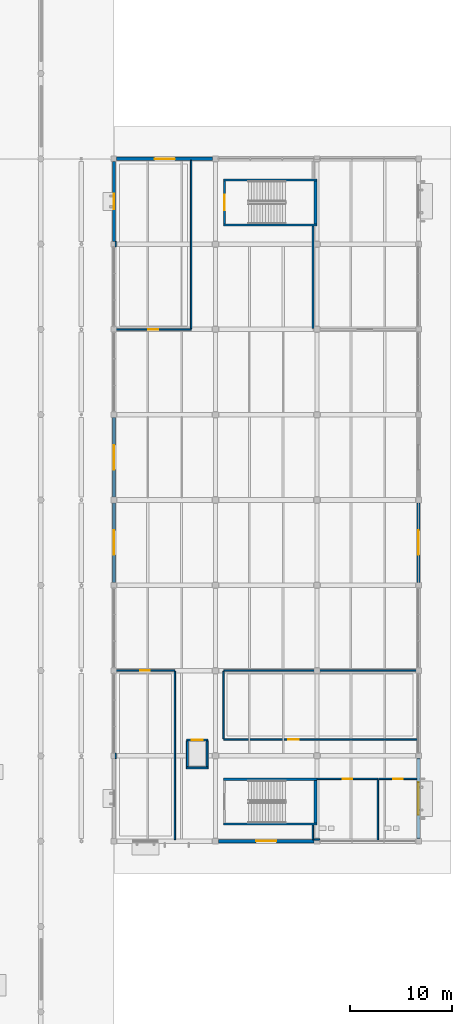
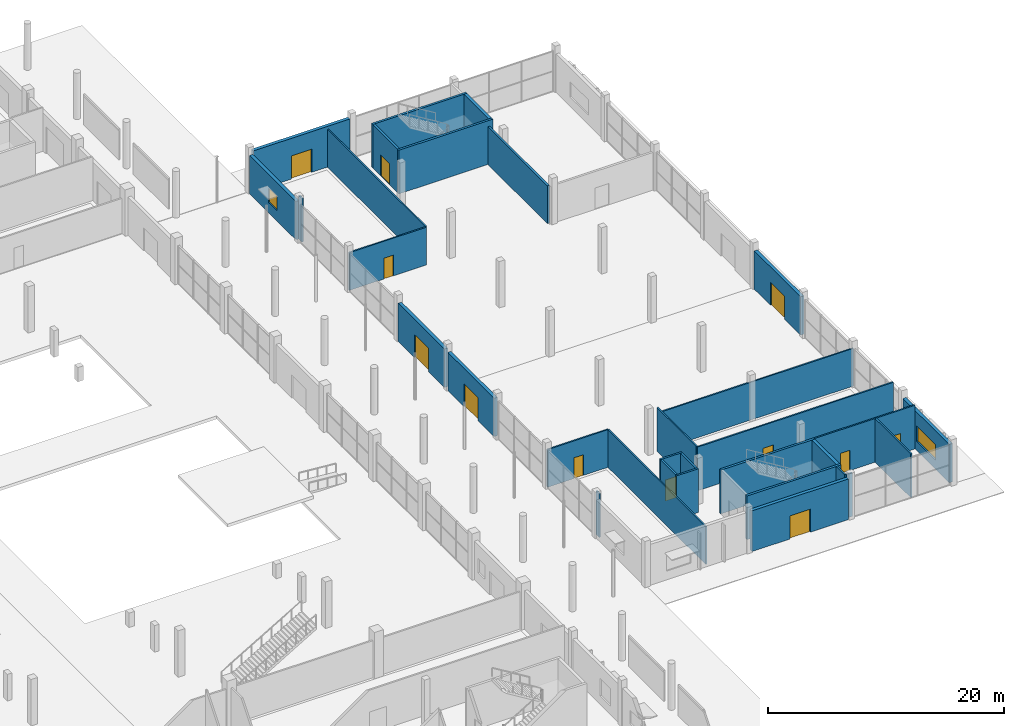
# One storey, part 97 of 130: 33 walls, 12 doors, 2 windows, 14 openings.
"""IFC4 building model written with IfcOpenShell, lengths in metres."""

from ifc_helpers import new_model, si_unit, direction, frame, frame_2d, origin, place, context, subcontext, project, spatial, rectangle, extrude, material, layer, layer_set, type_object, element, fill, save


model = new_model("IFC4")

# Units and contexts
model_context = context("Model", 3, precision=1e-05, world=origin(), true_north=direction((0.0, 1.0)))
body_context = subcontext(model_context, "Body", "Model", "MODEL_VIEW")
ifc_project = project(units=[si_unit("LENGTHUNIT", "METRE"), si_unit("AREAUNIT", "SQUARE_METRE"), si_unit("VOLUMEUNIT", "CUBIC_METRE"), si_unit("PLANEANGLEUNIT", "RADIAN"), si_unit("MASSUNIT", "GRAM", prefix="KILO"), si_unit("THERMODYNAMICTEMPERATUREUNIT", "KELVIN")], contexts=[model_context])

# Site, building, storey
site_placement = place(None, origin())
site = spatial("IfcSite", under=ifc_project, at=site_placement, CompositionType="ELEMENT")
building_placement = place(site_placement, origin())
building = spatial("IfcBuilding", under=site, at=building_placement, Name="Nduvali Passage Aquatics Centre", CompositionType="ELEMENT")
storey_placement = place(building_placement, origin())
storey = spatial("IfcBuildingStorey", under=building, at=storey_placement, Name="L00", CompositionType="ELEMENT", Elevation=0.0)

# Wall, opening, door
ifc_material_1 = material(Name="Coral-stone masonry blockwork", Category="masonry")
ifc_layer_1 = layer(ifc_material_1, 0.320068359375, Name="Coral-stone masonry blockwork")
ifc_layer_set_1 = layer_set([ifc_layer_1], Name="Coral-stone masonry blockwork")
wall_type_1 = type_object("IfcWallType", Name="ENV-WAL-CORAL320", PredefinedType="STANDARD", material=ifc_layer_set_1)
wall_1_placement = place(storey_placement, frame((147.72509765625, 92.39990234375, 0.0), z_axis=(0.0, 0.0, 1.0), x_axis=(-1.0, 0.0, 0.0)))
wall_1 = element("IfcWall", 1, at=wall_1_placement, inside=storey, type_object=wall_type_1, Name="L00 East Pavilion North Facade 0089", PredefinedType="STANDARD", context=body_context, shape_type="SweptSolid", body=[
    extrude(rectangle(XDim=9.4501953125, YDim=0.320068359375, at=frame_2d((4.72509765625, 0.0))), origin(), (0.0, 0.0, 1.0), 4.216064453125),
])
opening_1_placement = place(wall_1_placement, frame((3.72509765625, 0.0, 0.0)))
opening_1 = element("IfcOpeningElement", 2, at=opening_1_placement, cuts=wall_1, Name="Opening ED2", PredefinedType="OPENING", context=body_context, shape_type="SweptSolid", body=[
    extrude(rectangle(XDim=2.0, YDim=2.39990234375, at=frame_2d((1.0, 1.199951171875))), frame((0.0, 0.1748046875, 0.0), z_axis=(0.0, -1.0, 0.0), x_axis=(1.0, 0.0, 0.0)), (0.0, 0.0, 1.0), 0.349853515625),
])
ifc_material_2 = material(Name="Aluminium-framed glazed door", Category="aluminium")
door_type_1 = type_object("IfcDoorType", Name="ENV-DR-EX200", OperationType="DOUBLE_DOOR_SINGLE_SWING", PredefinedType="DOOR", material=ifc_material_2)
door_1_placement = place(opening_1_placement, frame((2.0, 0.0, 0.0), z_axis=(0.0, 0.0, 1.0), x_axis=(-1.0, 0.0, 0.0)))
door_1 = element("IfcDoor", 3, at=door_1_placement, inside=storey, type_object=door_type_1, Name="L00 Exterior Exit Door ED2-025", OperationType="DOUBLE_DOOR_SINGLE_SWING", OverallHeight=2.39990234375, OverallWidth=2.0, PredefinedType="DOOR", context=body_context, shape_type="SweptSolid", body=[
    extrude(rectangle(XDim=2.0, YDim=2.39990234375, at=frame_2d((1.0, 1.199951171875))), frame((0.0, 0.02490234375, 0.0), z_axis=(0.0, -1.0, 0.0), x_axis=(1.0, 0.0, 0.0)), (0.0, 0.0, 1.0), 0.050048828125),
])
fill(opening_1, door_1)

wall_2_placement = place(storey_placement, frame((148.27490234375, 25.199951171875, 0.0), z_axis=(0.0, 0.0, 1.0), x_axis=(1.0, 0.0, 0.0)))
wall_2 = element("IfcWall", 4, at=wall_2_placement, inside=storey, type_object=wall_type_1, Name="L00 East Pavilion South Facade 0090", PredefinedType="STANDARD", context=body_context, shape_type="SweptSolid", body=[
    extrude(rectangle(XDim=9.4501953125, YDim=0.320068359375, at=frame_2d((4.72509765625, 0.0))), origin(), (0.0, 0.0, 1.0), 4.216064453125),
])
opening_2_placement = place(wall_2_placement, frame((3.72509765625, 0.0, 0.0)))
opening_2 = element("IfcOpeningElement", 5, at=opening_2_placement, cuts=wall_2, Name="Opening ED2", PredefinedType="OPENING", context=body_context, shape_type="SweptSolid", body=[
    extrude(rectangle(XDim=2.0, YDim=2.39990234375, at=frame_2d((1.0, 1.199951171875))), frame((0.0, 0.1748046875, 0.0), z_axis=(0.0, -1.0, 0.0), x_axis=(1.0, 0.0, 0.0)), (0.0, 0.0, 1.0), 0.349853515625),
])
door_2_placement = place(opening_2_placement, frame((2.0, 0.0, 0.0), z_axis=(0.0, 0.0, 1.0), x_axis=(-1.0, 0.0, 0.0)))
door_2 = element("IfcDoor", 6, at=door_2_placement, inside=storey, type_object=door_type_1, Name="L00 Exterior Exit Door ED2-026", OperationType="DOUBLE_DOOR_SINGLE_SWING", OverallHeight=2.39990234375, OverallWidth=2.0, PredefinedType="DOOR", context=body_context, shape_type="SweptSolid", body=[
    extrude(rectangle(XDim=2.0, YDim=2.39990234375, at=frame_2d((1.0, 1.199951171875))), frame((0.0, 0.02490234375, 0.0), z_axis=(0.0, -1.0, 0.0), x_axis=(1.0, 0.0, 0.0)), (0.0, 0.0, 1.0), 0.050048828125),
])
fill(opening_2, door_2)

# Wall, opening, window
wall_3_placement = place(storey_placement, frame((168.0, 25.47509765625, 0.0), z_axis=(0.0, 0.0, 1.0), x_axis=(0.0, 1.0, 0.0)))
wall_3 = element("IfcWall", 7, at=wall_3_placement, inside=storey, type_object=wall_type_1, Name="L00 East Pavilion Avenue Entrance 0092", PredefinedType="STANDARD", context=body_context, shape_type="SweptSolid", body=[
    extrude(rectangle(XDim=7.849853515625, YDim=0.320068359375, at=frame_2d((3.9248046875, 0.0))), origin(), (0.0, 0.0, 1.0), 3.976318359375),
])
opening_3_placement = place(wall_3_placement, frame((2.324951171875, 0.0, 0.949951171875)))
opening_3 = element("IfcOpeningElement", 8, at=opening_3_placement, cuts=wall_3, Name="Opening W10", PredefinedType="OPENING", context=body_context, shape_type="SweptSolid", body=[
    extrude(rectangle(XDim=3.199951171875, YDim=1.60009765625, at=frame_2d((1.60009765625, 0.800048828125))), frame((0.0, 0.1748046875, 0.0), z_axis=(0.0, -1.0, 0.0), x_axis=(1.0, 0.0, 0.0)), (0.0, 0.0, 1.0), 0.349853515625),
])
ifc_material_3 = material(Name="Aluminium-framed solar-control low-E IGU", Category="aluminium")
window_type_1 = type_object("IfcWindowType", Name="ENV-WIN-W10", PartitioningType="SINGLE_PANEL", PredefinedType="WINDOW", material=ifc_material_3)
window_1_placement = place(opening_3_placement, origin())
window_1 = element("IfcWindow", 9, at=window_1_placement, inside=storey, type_object=window_type_1, Name="L00 Exterior Window W10-0086", OverallHeight=1.60009765625, OverallWidth=3.199951171875, PartitioningType="SINGLE_PANEL", PredefinedType="WINDOW", context=body_context, shape_type="SweptSolid", body=[
    extrude(rectangle(XDim=3.199951171875, YDim=1.60009765625, at=frame_2d((1.60009765625, 0.800048828125))), frame((0.0, 0.030029296875, 0.0), z_axis=(0.0, -1.0, 0.0), x_axis=(1.0, 0.0, 0.0)), (0.0, 0.0, 1.0), 0.06005859375),
])
fill(opening_3, window_1)

# Wall, opening, door
wall_4_placement = place(storey_placement, frame((138.0, 58.52490234375, 0.0), z_axis=(0.0, 0.0, 1.0), x_axis=(0.0, -1.0, 0.0)))
wall_4 = element("IfcWall", 10, at=wall_4_placement, inside=storey, type_object=wall_type_1, Name="L00 East Pavilion Passage Facade 0093", PredefinedType="STANDARD", context=body_context, shape_type="SweptSolid", body=[
    extrude(rectangle(XDim=7.849853515625, YDim=0.320068359375, at=frame_2d((3.9248046875, 0.0))), origin(), (0.0, 0.0, 1.0), 3.976318359375),
])
opening_4_placement = place(wall_4_placement, frame((2.72509765625, 0.0, 0.0)))
opening_4 = element("IfcOpeningElement", 11, at=opening_4_placement, cuts=wall_4, Name="Opening ED1", PredefinedType="OPENING", context=body_context, shape_type="SweptSolid", body=[
    extrude(rectangle(XDim=2.39990234375, YDim=2.39990234375, at=frame_2d((1.199951171875, 1.199951171875))), frame((0.0, 0.1748046875, 0.0), z_axis=(0.0, -1.0, 0.0), x_axis=(1.0, 0.0, 0.0)), (0.0, 0.0, 1.0), 0.349853515625),
])
door_type_2 = type_object("IfcDoorType", Name="ENV-DR-EX240", OperationType="DOUBLE_DOOR_SINGLE_SWING", PredefinedType="DOOR", material=ifc_material_2)
door_3_placement = place(opening_4_placement, frame((2.39990234375, 0.0, 0.0), z_axis=(0.0, 0.0, 1.0), x_axis=(-1.0, 0.0, 0.0)))
door_3 = element("IfcDoor", 12, at=door_3_placement, inside=storey, type_object=door_type_2, Name="L00 Exterior Exit Door ED1-027", OperationType="DOUBLE_DOOR_SINGLE_SWING", OverallHeight=2.39990234375, OverallWidth=2.39990234375, PredefinedType="DOOR", context=body_context, shape_type="SweptSolid", body=[
    extrude(rectangle(XDim=2.39990234375, YDim=2.39990234375, at=frame_2d((1.199951171875, 1.199951171875))), frame((0.0, 0.02490234375, 0.0), z_axis=(0.0, -1.0, 0.0), x_axis=(1.0, 0.0, 0.0)), (0.0, 0.0, 1.0), 0.050048828125),
])
fill(opening_4, door_3)

wall_5_placement = place(storey_placement, frame((168.0, 50.675048828125, 0.0), z_axis=(0.0, 0.0, 1.0), x_axis=(0.0, 1.0, 0.0)))
wall_5 = element("IfcWall", 13, at=wall_5_placement, inside=storey, type_object=wall_type_1, Name="L00 East Pavilion Avenue Entrance 0094", PredefinedType="STANDARD", context=body_context, shape_type="SweptSolid", body=[
    extrude(rectangle(XDim=7.849853515625, YDim=0.320068359375, at=frame_2d((3.9248046875, 0.0))), origin(), (0.0, 0.0, 1.0), 3.976318359375),
])
opening_5_placement = place(wall_5_placement, frame((2.72509765625, 0.0, 0.0)))
opening_5 = element("IfcOpeningElement", 14, at=opening_5_placement, cuts=wall_5, Name="Opening ED1", PredefinedType="OPENING", context=body_context, shape_type="SweptSolid", body=[
    extrude(rectangle(XDim=2.39990234375, YDim=2.39990234375, at=frame_2d((1.199951171875, 1.199951171875))), frame((0.0, 0.1748046875, 0.0), z_axis=(0.0, -1.0, 0.0), x_axis=(1.0, 0.0, 0.0)), (0.0, 0.0, 1.0), 0.349853515625),
])
door_4_placement = place(opening_5_placement, frame((2.39990234375, 0.0, 0.0), z_axis=(0.0, 0.0, 1.0), x_axis=(-1.0, 0.0, 0.0)))
door_4 = element("IfcDoor", 15, at=door_4_placement, inside=storey, type_object=door_type_2, Name="L00 Exterior Exit Door ED1-028", OperationType="DOUBLE_DOOR_SINGLE_SWING", OverallHeight=2.39990234375, OverallWidth=2.39990234375, PredefinedType="DOOR", context=body_context, shape_type="SweptSolid", body=[
    extrude(rectangle(XDim=2.39990234375, YDim=2.39990234375, at=frame_2d((1.199951171875, 1.199951171875))), frame((0.0, 0.02490234375, 0.0), z_axis=(0.0, -1.0, 0.0), x_axis=(1.0, 0.0, 0.0)), (0.0, 0.0, 1.0), 0.050048828125),
])
fill(opening_5, door_4)

wall_6_placement = place(storey_placement, frame((138.0, 66.925048828125, 0.0), z_axis=(0.0, 0.0, 1.0), x_axis=(0.0, -1.0, 0.0)))
wall_6 = element("IfcWall", 16, at=wall_6_placement, inside=storey, type_object=wall_type_1, Name="L00 East Pavilion Passage Facade 0095", PredefinedType="STANDARD", context=body_context, shape_type="SweptSolid", body=[
    extrude(rectangle(XDim=7.85009765625, YDim=0.320068359375, at=frame_2d((3.925048828125, 0.0))), origin(), (0.0, 0.0, 1.0), 3.976318359375),
])
opening_6_placement = place(wall_6_placement, frame((2.72509765625, 0.0, 0.0)))
opening_6 = element("IfcOpeningElement", 17, at=opening_6_placement, cuts=wall_6, Name="Opening ED1", PredefinedType="OPENING", context=body_context, shape_type="SweptSolid", body=[
    extrude(rectangle(XDim=2.39990234375, YDim=2.39990234375, at=frame_2d((1.199951171875, 1.199951171875))), frame((0.0, 0.1748046875, 0.0), z_axis=(0.0, -1.0, 0.0), x_axis=(1.0, 0.0, 0.0)), (0.0, 0.0, 1.0), 0.349853515625),
])
door_5_placement = place(opening_6_placement, frame((2.39990234375, 0.0, 0.0), z_axis=(0.0, 0.0, 1.0), x_axis=(-1.0, 0.0, 0.0)))
door_5 = element("IfcDoor", 18, at=door_5_placement, inside=storey, type_object=door_type_2, Name="L00 Exterior Exit Door ED1-029", OperationType="DOUBLE_DOOR_SINGLE_SWING", OverallHeight=2.39990234375, OverallWidth=2.39990234375, PredefinedType="DOOR", context=body_context, shape_type="SweptSolid", body=[
    extrude(rectangle(XDim=2.39990234375, YDim=2.39990234375, at=frame_2d((1.199951171875, 1.199951171875))), frame((0.0, 0.02490234375, 0.0), z_axis=(0.0, -1.0, 0.0), x_axis=(1.0, 0.0, 0.0)), (0.0, 0.0, 1.0), 0.050048828125),
])
fill(opening_6, door_5)

# Wall, opening, window
wall_7_placement = place(storey_placement, frame((138.0, 92.125, 0.0), z_axis=(0.0, 0.0, 1.0), x_axis=(0.0, -1.0, 0.0)))
wall_7 = element("IfcWall", 19, at=wall_7_placement, inside=storey, type_object=wall_type_1, Name="L00 East Pavilion Passage Facade 0097", PredefinedType="STANDARD", context=body_context, shape_type="SweptSolid", body=[
    extrude(rectangle(XDim=7.85009765625, YDim=0.320068359375, at=frame_2d((3.925048828125, 0.0))), origin(), (0.0, 0.0, 1.0), 3.976318359375),
])
opening_7_placement = place(wall_7_placement, frame((3.175048828125, 0.0, 1.050048828125)))
opening_7 = element("IfcOpeningElement", 20, at=opening_7_placement, cuts=wall_7, Name="Opening W3", PredefinedType="OPENING", context=body_context, shape_type="SweptSolid", body=[
    extrude(rectangle(XDim=1.5, YDim=1.5, at=frame_2d((0.75, 0.75))), frame((0.0, 0.1748046875, 0.0), z_axis=(0.0, -1.0, 0.0), x_axis=(1.0, 0.0, 0.0)), (0.0, 0.0, 1.0), 0.349853515625),
])
window_type_2 = type_object("IfcWindowType", Name="ENV-WIN-W3", PartitioningType="SINGLE_PANEL", PredefinedType="WINDOW", material=ifc_material_3)
window_2_placement = place(opening_7_placement, origin())
window_2 = element("IfcWindow", 21, at=window_2_placement, inside=storey, type_object=window_type_2, Name="L00 Exterior Window W3-0087", OverallHeight=1.5, OverallWidth=1.5, PartitioningType="SINGLE_PANEL", PredefinedType="WINDOW", context=body_context, shape_type="SweptSolid", body=[
    extrude(rectangle(XDim=1.5, YDim=1.5, at=frame_2d((0.75, 0.75))), frame((0.0, 0.030029296875, 0.0), z_axis=(0.0, -1.0, 0.0), x_axis=(1.0, 0.0, 0.0)), (0.0, 0.0, 1.0), 0.06005859375),
])
fill(opening_7, window_2)

# Walls
ifc_layer_2 = layer(ifc_material_1, 0.199951171875, Name="Coral-stone masonry blockwork")
ifc_layer_set_2 = layer_set([ifc_layer_2], Name="Coral-stone masonry blockwork")
wall_type_2 = type_object("IfcWallType", Name="INT-WAL-COMP200", PredefinedType="PARTITIONING", material=ifc_layer_set_2)
wall_8_placement = place(storey_placement, frame((157.60009765625, 75.699951171875, 0.0), z_axis=(0.0, 0.0, 1.0), x_axis=(0.0, 1.0, 0.0)))
element("IfcWall", 22, at=wall_8_placement, inside=storey, type_object=wall_type_2, Name="L00 Cafe Servery Kitchen and Cold Store Partition 0109", PredefinedType="PARTITIONING", context=body_context, shape_type="SweptSolid", body=[
    extrude(rectangle(XDim=10.080078125, YDim=0.199951171875, at=frame_2d((5.0400390625, 0.0))), origin(), (0.0, 0.0, 1.0), 3.903564453125),
])
ifc_material_4 = material(Name="Concrete C40/50", Category="concrete")
ifc_layer_3 = layer(ifc_material_4, 0.219970703125, Name="Concrete C40/50")
ifc_layer_set_3 = layer_set([ifc_layer_3], Name="Concrete C40/50")
wall_type_3 = type_object("IfcWallType", Name="INT-WAL-CORE220", PredefinedType="SOLIDWALL", material=ifc_layer_set_3)
for number, where, z_axis, x_axis, name in (
    (23, (148.780029296875, 26.889892578125, 0.0), (0.0, 0.0, 1.0), (1.0, 0.0, 0.0), "L00 Stair ST7 Core Wall S"),
    (24, (158.0, 31.300048828125, 0.0), (0.0, 0.0, 1.0), (-1.0, 0.0, 0.0), "L00 Stair ST7 Core Wall N"),
    (25, (148.780029296875, 85.889892578125, 0.0), (0.0, 0.0, 1.0), (1.0, 0.0, 0.0), "L00 Stair ST8 Core Wall S"),
    (26, (158.0, 90.300048828125, 0.0), (0.0, 0.0, 1.0), (-1.0, 0.0, 0.0), "L00 Stair ST8 Core Wall N"),
):
    element("IfcWall", number, at=place(storey_placement, frame(where, z_axis=z_axis, x_axis=x_axis)), inside=storey, type_object=wall_type_3, Name=name, PredefinedType="SOLIDWALL", context=body_context, shape_type="SweptSolid", body=[
        extrude(rectangle(XDim=9.219970703125, YDim=0.219970703125, at=frame_2d((4.60986328125, 0.0))), origin(), (0.0, 0.0, 1.0), 4.52001953125),
    ])

# Wall, opening, door
wall_9_placement = place(storey_placement, frame((148.889892578125, 90.18994140625, 0.0), z_axis=(0.0, 0.0, 1.0), x_axis=(0.0, -1.0, 0.0)))
wall_9 = element("IfcWall", 27, at=wall_9_placement, inside=storey, type_object=wall_type_3, Name="L00 Stair ST8 Core Wall W", PredefinedType="SOLIDWALL", context=body_context, shape_type="SweptSolid", body=[
    extrude(rectangle(XDim=4.18994140625, YDim=0.219970703125, at=frame_2d((2.094970703125, 0.0))), origin(), (0.0, 0.0, 1.0), 4.52001953125),
])
opening_8_placement = place(wall_9_placement, frame((1.344970703125, 0.0, 0.0)))
opening_8 = element("IfcOpeningElement", 28, at=opening_8_placement, cuts=wall_9, Name="Opening FD-ST1", PredefinedType="OPENING", context=body_context, shape_type="SweptSolid", body=[
    extrude(rectangle(XDim=1.5, YDim=2.199951171875, at=frame_2d((0.75, 1.10009765625))), frame((0.0, 0.125, 0.0), z_axis=(0.0, -1.0, 0.0), x_axis=(1.0, 0.0, 0.0)), (0.0, 0.0, 1.0), 0.249755859375),
])
ifc_material_5 = material(Name="Galvanised steel door", Category="steel")
door_type_3 = type_object("IfcDoorType", Name="INT-DR-ST150", OperationType="DOUBLE_DOOR_SINGLE_SWING", PredefinedType="DOOR", material=ifc_material_5)
door_6_placement = place(opening_8_placement, origin())
door_6 = element("IfcDoor", 29, at=door_6_placement, inside=storey, type_object=door_type_3, Name="L00 Stair ST8 Fire Lobby Door", OperationType="DOUBLE_DOOR_SINGLE_SWING", OverallHeight=2.199951171875, OverallWidth=1.5, PredefinedType="DOOR", context=body_context, shape_type="SweptSolid", body=[
    extrude(rectangle(XDim=1.5, YDim=2.199951171875, at=frame_2d((0.75, 1.10009765625))), frame((0.0, 0.02490234375, 0.0), z_axis=(0.0, -1.0, 0.0), x_axis=(1.0, 0.0, 0.0)), (0.0, 0.0, 1.0), 0.050048828125),
])
fill(opening_8, door_6)

ifc_material_6 = material(Name="Gypsum acoustic stud partition")
ifc_layer_4 = layer(ifc_material_6, 0.139892578125, Name="Gypsum acoustic stud partition")
ifc_layer_set_4 = layer_set([ifc_layer_4], Name="Gypsum acoustic stud partition")
wall_type_4 = type_object("IfcWallType", Name="INT-WAL-PART140", PredefinedType="PARTITIONING", material=ifc_layer_set_4)
wall_10_placement = place(storey_placement, frame((138.02001953125, 42.0, 0.0), z_axis=(0.0, 0.0, 1.0), x_axis=(1.0, 0.0, 0.0)))
wall_10 = element("IfcWall", 30, at=wall_10_placement, inside=storey, type_object=wall_type_4, Name="L00 Aquatic Sportswear and Gear Shop Partition 0093", PredefinedType="PARTITIONING", context=body_context, shape_type="SweptSolid", body=[
    extrude(rectangle(XDim=5.97998046875, YDim=0.139892578125, at=frame_2d((2.989990234375, 0.0))), origin(), (0.0, 0.0, 1.0), 3.903564453125),
])
opening_9_placement = place(wall_10_placement, frame((2.574951171875, 0.0, 0.0)))
opening_9 = element("IfcOpeningElement", 31, at=opening_9_placement, cuts=wall_10, Name="Opening ID2", PredefinedType="OPENING", context=body_context, shape_type="SweptSolid", body=[
    extrude(rectangle(XDim=0.949951171875, YDim=2.14990234375, at=frame_2d((0.47509765625, 1.074951171875))), frame((0.0, 0.0849609375, 0.0), z_axis=(0.0, -1.0, 0.0), x_axis=(1.0, 0.0, 0.0)), (0.0, 0.0, 1.0), 0.169677734375),
])
ifc_material_7 = material(Name="Timber solid-core door", Category="wood")
door_type_4 = type_object("IfcDoorType", Name="INT-DR-STD95", OperationType="NOTDEFINED", PredefinedType="DOOR", material=ifc_material_7)
door_7_placement = place(opening_9_placement, origin())
door_7 = element("IfcDoor", 32, at=door_7_placement, inside=storey, type_object=door_type_4, Name="L00 Aquatic Sportswear and Gear Shop Door 0030", OperationType="SINGLE_SWING_LEFT", OverallHeight=2.14990234375, OverallWidth=0.949951171875, PredefinedType="DOOR", context=body_context, shape_type="SweptSolid", body=[
    extrude(rectangle(XDim=0.949951171875, YDim=2.14990234375, at=frame_2d((0.47509765625, 1.074951171875))), frame((0.0, 0.02490234375, 0.0), z_axis=(0.0, -1.0, 0.0), x_axis=(1.0, 0.0, 0.0)), (0.0, 0.0, 1.0), 0.050048828125),
])
fill(opening_9, door_7)

# Walls
wall_11_placement = place(storey_placement, frame((144.0, 25.360107421875, 0.0), z_axis=(0.0, 0.0, 1.0), x_axis=(0.0, 1.0, 0.0)))
element("IfcWall", 33, at=wall_11_placement, inside=storey, type_object=wall_type_4, Name="L00 Aquatic Sportswear and Gear Shop Partition 0094", PredefinedType="PARTITIONING", context=body_context, shape_type="SweptSolid", body=[
    extrude(rectangle(XDim=16.56982421875, YDim=0.139892578125, at=frame_2d((8.284912109375, 0.0))), origin(), (0.0, 0.0, 1.0), 3.903564453125),
])
wall_12_placement = place(storey_placement, frame((138.179931640625, 33.324951171875, 0.0), z_axis=(0.0, 0.0, 1.0), x_axis=(0.0, 1.0, 0.0)))
element("IfcWall", 34, at=wall_12_placement, inside=storey, type_object=wall_type_4, Name="L00 Aquatic Sportswear and Gear Shop Partition 0095", PredefinedType="PARTITIONING", context=body_context, shape_type="SweptSolid", body=[
    extrude(rectangle(XDim=0.550048828125, YDim=0.139892578125, at=frame_2d((0.27490234375, 0.0))), origin(), (0.0, 0.0, 1.0), 4.52001953125),
])

# Wall, opening, door
wall_13_placement = place(storey_placement, frame((148.800048828125, 35.199951171875, 0.0), z_axis=(0.0, 0.0, 1.0), x_axis=(1.0, 0.0, 0.0)))
wall_13 = element("IfcWall", 35, at=wall_13_placement, inside=storey, type_object=wall_type_4, Name="L00 Ticketing and Accreditation Counter Office Partition 0096", PredefinedType="PARTITIONING", context=body_context, shape_type="SweptSolid", body=[
    extrude(rectangle(XDim=19.179931640625, YDim=0.139892578125, at=frame_2d((9.58984375, 0.0))), origin(), (0.0, 0.0, 1.0), 4.52001953125),
])
opening_10_placement = place(wall_13_placement, frame((6.3798828125, 0.0, 0.0)))
opening_10 = element("IfcOpeningElement", 36, at=opening_10_placement, cuts=wall_13, Name="Opening ID1", PredefinedType="OPENING", context=body_context, shape_type="SweptSolid", body=[
    extrude(rectangle(XDim=1.02001953125, YDim=2.14990234375, at=frame_2d((0.510009765625, 1.074951171875))), frame((0.0, 0.0849609375, 0.0), z_axis=(0.0, -1.0, 0.0), x_axis=(1.0, 0.0, 0.0)), (0.0, 0.0, 1.0), 0.169677734375),
])
door_type_5 = type_object("IfcDoorType", Name="INT-DR-STD100", OperationType="NOTDEFINED", PredefinedType="DOOR", material=ifc_material_7)
door_8_placement = place(opening_10_placement, frame((1.02001953125, 0.0, 0.0), z_axis=(0.0, 0.0, 1.0), x_axis=(-1.0, 0.0, 0.0)))
door_8 = element("IfcDoor", 37, at=door_8_placement, inside=storey, type_object=door_type_5, Name="L00 Ticketing and Accreditation Counter Office Door 0031", OperationType="SINGLE_SWING_RIGHT", OverallHeight=2.14990234375, OverallWidth=1.02001953125, PredefinedType="DOOR", context=body_context, shape_type="SweptSolid", body=[
    extrude(rectangle(XDim=1.02001953125, YDim=2.14990234375, at=frame_2d((0.510009765625, 1.074951171875))), frame((0.0, 0.02490234375, 0.0), z_axis=(0.0, -1.0, 0.0), x_axis=(1.0, 0.0, 0.0)), (0.0, 0.0, 1.0), 0.050048828125),
])
fill(opening_10, door_8)

# Walls
wall_14_placement = place(storey_placement, frame((148.800048828125, 42.0, 0.0), z_axis=(0.0, 0.0, 1.0), x_axis=(1.0, 0.0, 0.0)))
element("IfcWall", 38, at=wall_14_placement, inside=storey, type_object=wall_type_4, Name="L00 Ticketing and Accreditation Counter Office Partition 0097", PredefinedType="PARTITIONING", context=body_context, shape_type="SweptSolid", body=[
    extrude(rectangle(XDim=19.179931640625, YDim=0.139892578125, at=frame_2d((9.58984375, 0.0))), origin(), (0.0, 0.0, 1.0), 3.903564453125),
])
wall_15_placement = place(storey_placement, frame((148.800048828125, 35.27001953125, 0.0), z_axis=(0.0, 0.0, 1.0), x_axis=(0.0, 1.0, 0.0)))
element("IfcWall", 39, at=wall_15_placement, inside=storey, type_object=wall_type_4, Name="L00 Ticketing and Accreditation Counter Office Partition 0098", PredefinedType="PARTITIONING", context=body_context, shape_type="SweptSolid", body=[
    extrude(rectangle(XDim=6.659912109375, YDim=0.139892578125, at=frame_2d((3.330078125, 0.0))), origin(), (0.0, 0.0, 1.0), 4.52001953125),
])

# Wall, opening, door
wall_16_placement = place(storey_placement, frame((138.02001953125, 75.60009765625, 0.0), z_axis=(0.0, 0.0, 1.0), x_axis=(1.0, 0.0, 0.0)))
wall_16 = element("IfcWall", 40, at=wall_16_placement, inside=storey, type_object=wall_type_4, Name="L00 Monsoon Courtyard and Passage Cafe Partition 0104", PredefinedType="PARTITIONING", context=body_context, shape_type="SweptSolid", body=[
    extrude(rectangle(XDim=7.580078125, YDim=0.139892578125, at=frame_2d((3.7900390625, 0.0))), origin(), (0.0, 0.0, 1.0), 3.903564453125),
])
opening_11_placement = place(wall_16_placement, frame((3.375, 0.0, 0.0)))
opening_11 = element("IfcOpeningElement", 41, at=opening_11_placement, cuts=wall_16, Name="Opening ID2", PredefinedType="OPENING", context=body_context, shape_type="SweptSolid", body=[
    extrude(rectangle(XDim=0.949951171875, YDim=2.14990234375, at=frame_2d((0.47509765625, 1.074951171875))), frame((0.0, 0.0849609375, 0.0), z_axis=(0.0, -1.0, 0.0), x_axis=(1.0, 0.0, 0.0)), (0.0, 0.0, 1.0), 0.169677734375),
])
door_9_placement = place(opening_11_placement, origin())
door_9 = element("IfcDoor", 42, at=door_9_placement, inside=storey, type_object=door_type_4, Name="L00 Monsoon Courtyard and Passage Cafe Door 0034", OperationType="SINGLE_SWING_LEFT", OverallHeight=2.14990234375, OverallWidth=0.949951171875, PredefinedType="DOOR", context=body_context, shape_type="SweptSolid", body=[
    extrude(rectangle(XDim=0.949951171875, YDim=2.14990234375, at=frame_2d((0.47509765625, 1.074951171875))), frame((0.0, 0.02490234375, 0.0), z_axis=(0.0, -1.0, 0.0), x_axis=(1.0, 0.0, 0.0)), (0.0, 0.0, 1.0), 0.050048828125),
])
fill(opening_11, door_9)

# Walls
wall_17_placement = place(storey_placement, frame((145.60009765625, 75.669921875, 0.0), z_axis=(0.0, 0.0, 1.0), x_axis=(0.0, 1.0, 0.0)))
element("IfcWall", 43, at=wall_17_placement, inside=storey, type_object=wall_type_4, Name="L00 Monsoon Courtyard and Passage Cafe Partition 0105", PredefinedType="PARTITIONING", context=body_context, shape_type="SweptSolid", body=[
    extrude(rectangle(XDim=16.570068359375, YDim=0.139892578125, at=frame_2d((8.28515625, 0.0))), origin(), (0.0, 0.0, 1.0), 3.903564453125),
])
wall_18_placement = place(storey_placement, frame((138.179931640625, 83.72509765625, 0.0), z_axis=(0.0, 0.0, 1.0), x_axis=(0.0, 1.0, 0.0)))
element("IfcWall", 44, at=wall_18_placement, inside=storey, type_object=wall_type_4, Name="L00 Monsoon Courtyard and Passage Cafe Partition 0106", PredefinedType="PARTITIONING", context=body_context, shape_type="SweptSolid", body=[
    extrude(rectangle(XDim=0.5498046875, YDim=0.139892578125, at=frame_2d((0.27490234375, 0.0))), origin(), (0.0, 0.0, 1.0), 4.52001953125),
])
ifc_layer_5 = layer(ifc_material_4, 0.18994140625, Name="Concrete C40/50")
ifc_layer_set_5 = layer_set([ifc_layer_5], Name="Concrete C40/50")
wall_type_5 = type_object("IfcWallType", Name="INT-WAL-SHAFT200", PredefinedType="SOLIDWALL", material=ifc_layer_set_5)
wall_19_placement = place(storey_placement, frame((145.1298828125, 32.425048828125, 0.0), z_axis=(0.0, 0.0, 1.0), x_axis=(1.0, 0.0, 0.0)))
element("IfcWall", 45, at=wall_19_placement, inside=storey, type_object=wall_type_5, Name="L00 Lift L6 Shaft Wall S", PredefinedType="SOLIDWALL", context=body_context, shape_type="SweptSolid", body=[
    extrude(rectangle(XDim=2.14013671875, YDim=0.18994140625, at=frame_2d((1.070068359375, 0.0))), origin(), (0.0, 0.0, 1.0), 4.52001953125),
])
wall_20_placement = place(storey_placement, frame((147.175048828125, 32.52001953125, 0.0), z_axis=(0.0, 0.0, 1.0), x_axis=(0.0, 1.0, 0.0)))
element("IfcWall", 46, at=wall_20_placement, inside=storey, type_object=wall_type_5, Name="L00 Lift L6 Shaft Wall E", PredefinedType="SOLIDWALL", context=body_context, shape_type="SweptSolid", body=[
    extrude(rectangle(XDim=2.56005859375, YDim=0.18994140625, at=frame_2d((1.280029296875, 0.0))), origin(), (0.0, 0.0, 1.0), 4.52001953125),
])

# Wall, opening, door
wall_21_placement = place(storey_placement, frame((147.27001953125, 35.175048828125, 0.0), z_axis=(0.0, 0.0, 1.0), x_axis=(-1.0, 0.0, 0.0)))
wall_21 = element("IfcWall", 47, at=wall_21_placement, inside=storey, type_object=wall_type_5, Name="L00 Lift L6 Shaft Wall N", PredefinedType="SOLIDWALL", context=body_context, shape_type="SweptSolid", body=[
    extrude(rectangle(XDim=2.14013671875, YDim=0.18994140625, at=frame_2d((1.070068359375, 0.0))), origin(), (0.0, 0.0, 1.0), 4.52001953125),
])
opening_12_placement = place(wall_21_placement, frame((0.52001953125, 0.0, 0.0)))
opening_12 = element("IfcOpeningElement", 48, at=opening_12_placement, cuts=wall_21, Name="Opening LD6", PredefinedType="OPENING", context=body_context, shape_type="SweptSolid", body=[
    extrude(rectangle(XDim=1.10009765625, YDim=2.199951171875, at=frame_2d((0.550048828125, 1.10009765625))), frame((0.0, 0.10986328125, 0.0), z_axis=(0.0, -1.0, 0.0), x_axis=(1.0, 0.0, 0.0)), (0.0, 0.0, 1.0), 0.2197265625),
])
ifc_material_8 = material(Name="Stainless steel landing door", Category="steel")
door_type_6 = type_object("IfcDoorType", Name="INT-DR-LD6", OperationType="DOUBLE_DOOR_SLIDING", PredefinedType="DOOR", material=ifc_material_8)
door_10_placement = place(opening_12_placement, origin())
door_10 = element("IfcDoor", 49, at=door_10_placement, inside=storey, type_object=door_type_6, Name="L00 Lift L6 Sliding Landing Door LD6", OperationType="DOUBLE_DOOR_SLIDING", OverallHeight=2.199951171875, OverallWidth=1.10009765625, PredefinedType="DOOR", context=body_context, shape_type="SweptSolid", body=[
    extrude(rectangle(XDim=1.10009765625, YDim=2.199951171875, at=frame_2d((0.550048828125, 1.10009765625))), frame((0.0, 0.02490234375, 0.0), z_axis=(0.0, -1.0, 0.0), x_axis=(1.0, 0.0, 0.0)), (0.0, 0.0, 1.0), 0.050048828125),
])
fill(opening_12, door_10)

# Wall
wall_22_placement = place(storey_placement, frame((145.22509765625, 35.080078125, 0.0), z_axis=(0.0, 0.0, 1.0), x_axis=(0.0, -1.0, 0.0)))
element("IfcWall", 50, at=wall_22_placement, inside=storey, type_object=wall_type_5, Name="L00 Lift L6 Shaft Wall W", PredefinedType="SOLIDWALL", context=body_context, shape_type="SweptSolid", body=[
    extrude(rectangle(XDim=2.56005859375, YDim=0.18994140625, at=frame_2d((1.280029296875, 0.0))), origin(), (0.0, 0.0, 1.0), 4.52001953125),
])

# Wall, opening, door
ifc_layer_6 = layer(ifc_material_1, 0.14990234375, Name="Coral-stone masonry blockwork")
ifc_layer_set_6 = layer_set([ifc_layer_6], Name="Coral-stone masonry blockwork")
wall_type_6 = type_object("IfcWallType", Name="INT-WAL-WET150", PredefinedType="PLUMBINGWALL", material=ifc_layer_set_6)
wall_23_placement = place(storey_placement, frame((158.0, 31.340087890625, 0.0), z_axis=(0.0, 0.0, 1.0), x_axis=(1.0, 0.0, 0.0)))
wall_23 = element("IfcWall", 51, at=wall_23_placement, inside=storey, type_object=wall_type_6, Name="L00 Entrance Pavilion Public Toilets Partition 0099", PredefinedType="PLUMBINGWALL", context=body_context, shape_type="SweptSolid", body=[
    extrude(rectangle(XDim=6.0, YDim=0.14990234375, at=frame_2d((3.0, 0.0))), origin(), (0.0, 0.0, 1.0), 4.52001953125),
])
opening_13_placement = place(wall_23_placement, frame((2.52490234375, 0.0, 0.0)))
opening_13 = element("IfcOpeningElement", 52, at=opening_13_placement, cuts=wall_23, Name="Opening ID3", PredefinedType="OPENING", context=body_context, shape_type="SweptSolid", body=[
    extrude(rectangle(XDim=0.949951171875, YDim=2.10009765625, at=frame_2d((0.47509765625, 1.050048828125))), frame((0.0, 0.08984375, 0.0), z_axis=(0.0, -1.0, 0.0), x_axis=(1.0, 0.0, 0.0)), (0.0, 0.0, 1.0), 0.1796875),
])
door_type_7 = type_object("IfcDoorType", Name="INT-DR-WC95", OperationType="NOTDEFINED", PredefinedType="DOOR", material=ifc_material_7)
door_11_placement = place(opening_13_placement, origin())
door_11 = element("IfcDoor", 53, at=door_11_placement, inside=storey, type_object=door_type_7, Name="L00 Entrance Pavilion Public Toilets Door 0032", OperationType="SINGLE_SWING_LEFT", OverallHeight=2.10009765625, OverallWidth=0.949951171875, PredefinedType="DOOR", context=body_context, shape_type="SweptSolid", body=[
    extrude(rectangle(XDim=0.949951171875, YDim=2.10009765625, at=frame_2d((0.47509765625, 1.050048828125))), frame((0.0, 0.02490234375, 0.0), z_axis=(0.0, -1.0, 0.0), x_axis=(1.0, 0.0, 0.0)), (0.0, 0.0, 1.0), 0.050048828125),
])
fill(opening_13, door_11)

# Walls
wall_24_placement = place(storey_placement, frame((157.72509765625, 25.3798828125, 0.0), z_axis=(0.0, 0.0, 1.0), x_axis=(1.0, 0.0, 0.0)))
element("IfcWall", 54, at=wall_24_placement, inside=storey, type_object=wall_type_6, Name="L00 Entrance Pavilion Public Toilets Partition 0100", PredefinedType="PLUMBINGWALL", context=body_context, shape_type="SweptSolid", body=[
    extrude(rectangle(XDim=0.5498046875, YDim=0.14990234375, at=frame_2d((0.27490234375, 0.0))), origin(), (0.0, 0.0, 1.0), 4.52001953125),
])
wall_25_placement = place(storey_placement, frame((157.60009765625, 25.360107421875, 0.0), z_axis=(0.0, 0.0, 1.0), x_axis=(0.0, 1.0, 0.0)))
element("IfcWall", 55, at=wall_25_placement, inside=storey, type_object=wall_type_6, Name="L00 Entrance Pavilion Public Toilets Partition 0101", PredefinedType="PLUMBINGWALL", context=body_context, shape_type="SweptSolid", body=[
    extrude(rectangle(XDim=1.419921875, YDim=0.14990234375, at=frame_2d((0.7099609375, 0.0))), origin(), (0.0, 0.0, 1.0), 4.52001953125),
])
wall_26_placement = place(storey_placement, frame((164.0, 25.219970703125, 0.0), z_axis=(0.0, 0.0, 1.0), x_axis=(0.0, 1.0, 0.0)))
element("IfcWall", 56, at=wall_26_placement, inside=storey, type_object=wall_type_6, Name="L00 Entrance Pavilion Public Toilets Partition 0102", PredefinedType="PLUMBINGWALL", context=body_context, shape_type="SweptSolid", body=[
    extrude(rectangle(XDim=6.044921875, YDim=0.14990234375, at=frame_2d((3.0224609375, 0.0))), origin(), (0.0, 0.0, 1.0), 4.52001953125),
])

# Wall, opening, door
wall_27_placement = place(storey_placement, frame((164.074951171875, 31.340087890625, 0.0), z_axis=(0.0, 0.0, 1.0), x_axis=(1.0, 0.0, 0.0)))
wall_27 = element("IfcWall", 57, at=wall_27_placement, inside=storey, type_object=wall_type_6, Name="L00 Entrance Pavilion Accessible WC Partition 0103", PredefinedType="PLUMBINGWALL", context=body_context, shape_type="SweptSolid", body=[
    extrude(rectangle(XDim=3.76513671875, YDim=0.14990234375, at=frame_2d((1.882568359375, 0.0))), origin(), (0.0, 0.0, 1.0), 4.52001953125),
])
opening_14_placement = place(wall_27_placement, frame((1.406982421875, 0.0, 0.0)))
opening_14 = element("IfcOpeningElement", 58, at=opening_14_placement, cuts=wall_27, Name="Opening ID3", PredefinedType="OPENING", context=body_context, shape_type="SweptSolid", body=[
    extrude(rectangle(XDim=0.949951171875, YDim=2.10009765625, at=frame_2d((0.47509765625, 1.050048828125))), frame((0.0, 0.08984375, 0.0), z_axis=(0.0, -1.0, 0.0), x_axis=(1.0, 0.0, 0.0)), (0.0, 0.0, 1.0), 0.1796875),
])
door_12_placement = place(opening_14_placement, frame((0.949951171875, 0.0, 0.0), z_axis=(0.0, 0.0, 1.0), x_axis=(-1.0, 0.0, 0.0)))
door_12 = element("IfcDoor", 59, at=door_12_placement, inside=storey, type_object=door_type_7, Name="L00 Entrance Pavilion Accessible WC Door 0033", OperationType="SINGLE_SWING_RIGHT", OverallHeight=2.10009765625, OverallWidth=0.949951171875, PredefinedType="DOOR", context=body_context, shape_type="SweptSolid", body=[
    extrude(rectangle(XDim=0.949951171875, YDim=2.10009765625, at=frame_2d((0.47509765625, 1.050048828125))), frame((0.0, 0.02490234375, 0.0), z_axis=(0.0, -1.0, 0.0), x_axis=(1.0, 0.0, 0.0)), (0.0, 0.0, 1.0), 0.050048828125),
])
fill(opening_14, door_12)

# Walls
ifc_layer_7 = layer(ifc_material_4, 0.300048828125, Name="Concrete C40/50")
ifc_layer_set_7 = layer_set([ifc_layer_7], Name="Concrete C40/50")
wall_type_7 = type_object("IfcWallType", Name="STR-WAL-SHR300", PredefinedType="SHEAR", material=ifc_layer_set_7)
for number, where, z_axis, x_axis, name in (
    (60, (157.85009765625, 27.0, 0.0), (0.0, 0.0, 1.0), (0.0, 1.0, 0.0), "L00 Stair ST7 Core Shear Wall E"),
    (61, (157.85009765625, 86.0, 0.0), (0.0, 0.0, 1.0), (0.0, 1.0, 0.0), "L00 Stair ST8 Core Shear Wall E"),
):
    element("IfcWall", number, at=place(storey_placement, frame(where, z_axis=z_axis, x_axis=x_axis)), inside=storey, type_object=wall_type_7, Name=name, PredefinedType="SHEAR", context=body_context, shape_type="SweptSolid", body=[
        extrude(rectangle(XDim=4.18994140625, YDim=0.300048828125, at=frame_2d((2.094970703125, 0.0))), origin(), (0.0, 0.0, 1.0), 4.52001953125),
    ])

save(model, "model.ifc")
